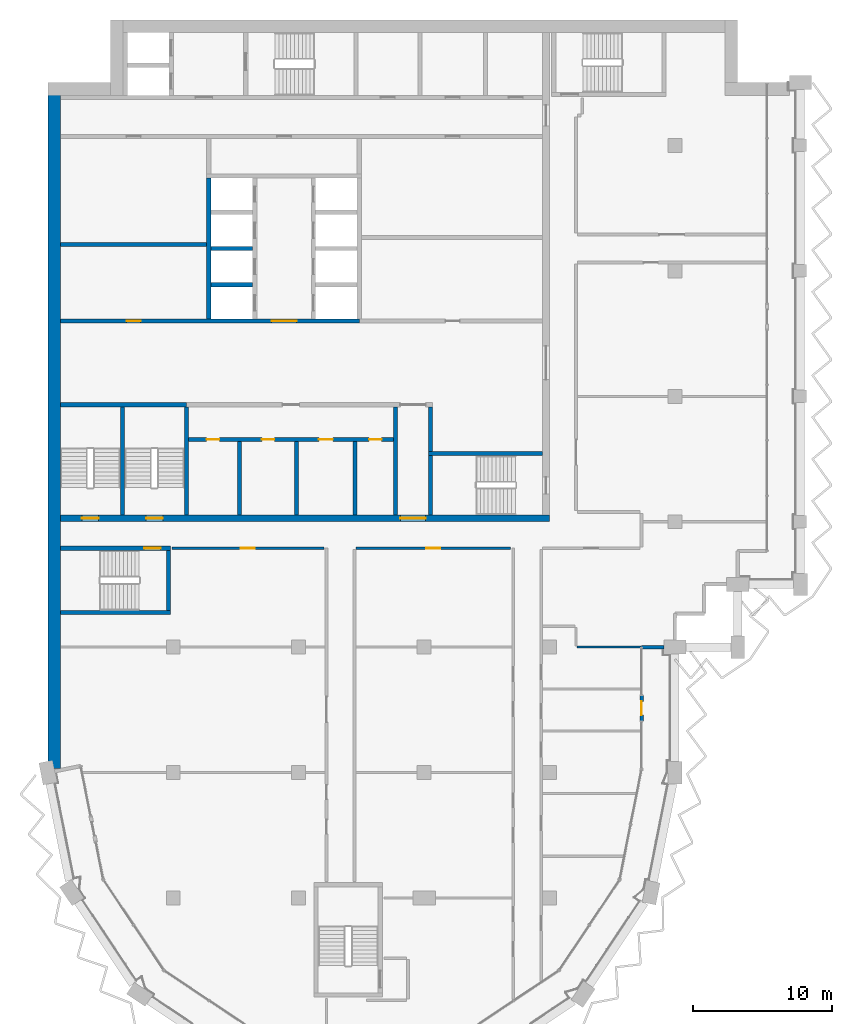
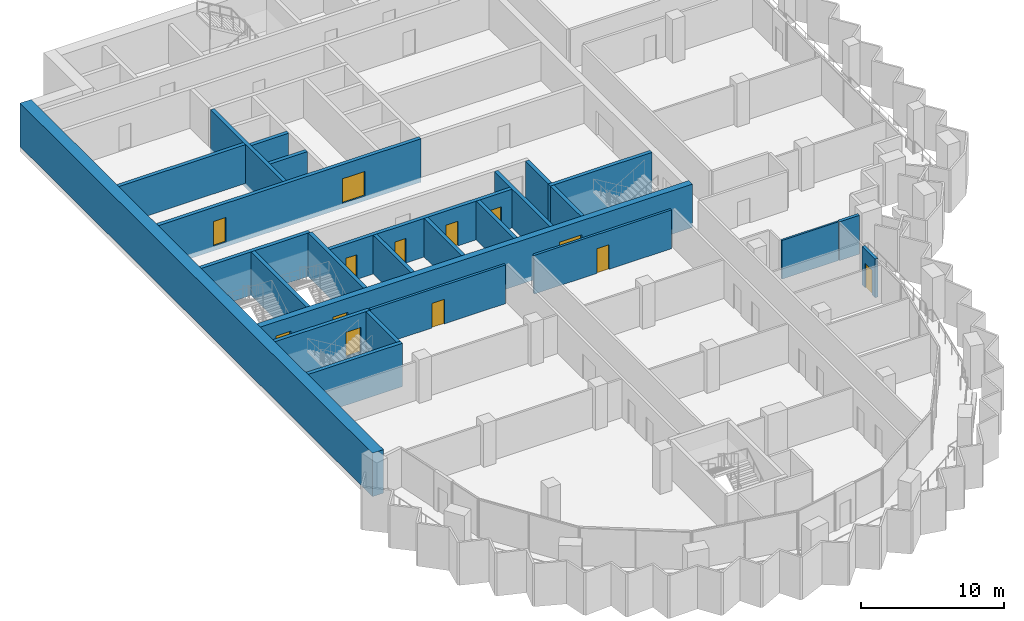
# One storey, part 8 of 16: 26 walls, 13 doors, 13 openings.
"""IFC4 building model written with IfcOpenShell, lengths in metres."""

from ifc_helpers import new_model, si_unit, direction, frame, frame_2d, origin, place, context, subcontext, project, spatial, rectangle, extrude, material, layer, layer_set, type_object, element, fill, save


model = new_model("IFC4")

# Units and contexts
model_context = context("Model", 3, precision=1e-05, world=origin(), true_north=direction((0.0, 1.0)))
body_context = subcontext(model_context, "Body", "Model", "MODEL_VIEW")
ifc_project = project(units=[si_unit("LENGTHUNIT", "METRE"), si_unit("AREAUNIT", "SQUARE_METRE"), si_unit("VOLUMEUNIT", "CUBIC_METRE"), si_unit("PLANEANGLEUNIT", "RADIAN"), si_unit("MASSUNIT", "GRAM", prefix="KILO")], contexts=[model_context])

# Site, building, storey
site_placement = place(None, origin())
site = spatial("IfcSite", under=ifc_project, at=site_placement, CompositionType="ELEMENT")
building_placement = place(site_placement, origin())
building = spatial("IfcBuilding", under=site, at=building_placement, Name="Hunhe Ridgeline Campus", CompositionType="ELEMENT")
storey_placement = place(building_placement, frame((0.0, 0.0, 254.0)))
storey = spatial("IfcBuildingStorey", under=building, at=storey_placement, Name="L65", CompositionType="ELEMENT", Elevation=254.0)

# Wall, openings, doors
ifc_material_1 = material(Name="Masonry concrete blockwork", Category="masonry")
ifc_layer_1 = layer(ifc_material_1, 0.300048828125)
ifc_layer_set_1 = layer_set([ifc_layer_1], Name="Core room partition 300 concrete block")
wall_type_1 = type_object("IfcWallType", Name="Core room partition 300 concrete block", PredefinedType="PARTITIONING", material=ifc_layer_set_1)
wall_1_placement = place(storey_placement, frame((10.10009765625, 68.89990234375, 0.0), z_axis=(0.0, 0.0, 1.0), x_axis=(1.0, 0.0, 0.0)))
wall_1 = element("IfcWall", 1, at=wall_1_placement, inside=storey, type_object=wall_type_1, Name="L65 core partition 7", PredefinedType="PARTITIONING", context=body_context, shape_type="SweptSolid", body=[
    extrude(rectangle(XDim=14.699951171875, YDim=0.300048828125, at=frame_2d((7.35009765625, 0.0))), origin(), (0.0, 0.0, 1.0), 3.300048828125),
])
opening_1_placement = place(wall_1_placement, frame((1.300048828125, 0.0, 0.0)))
opening_1 = element("IfcOpeningElement", 2, at=opening_1_placement, cuts=wall_1, Name="Opening CD8", PredefinedType="OPENING", context=body_context, shape_type="SweptSolid", body=[
    extrude(rectangle(XDim=0.89990234375, YDim=2.10009765625, at=frame_2d((0.449951171875, 1.050048828125))), frame((0.0, 0.14990234375, 0.0), z_axis=(0.0, -1.0, 0.0), x_axis=(1.0, 0.0, 0.0)), (0.0, 0.0, 1.0), 0.300048828125),
])
opening_2_placement = place(wall_1_placement, frame((5.25, 0.0, 0.0)))
opening_2 = element("IfcOpeningElement", 3, at=opening_2_placement, cuts=wall_1, Name="Opening CD9", PredefinedType="OPENING", context=body_context, shape_type="SweptSolid", body=[
    extrude(rectangle(XDim=0.89990234375, YDim=2.10009765625, at=frame_2d((0.449951171875, 1.050048828125))), frame((0.0, 0.14990234375, 0.0), z_axis=(0.0, -1.0, 0.0), x_axis=(1.0, 0.0, 0.0)), (0.0, 0.0, 1.0), 0.300048828125),
])
opening_3_placement = place(wall_1_placement, frame((9.35009765625, 0.0, 0.0)))
opening_3 = element("IfcOpeningElement", 4, at=opening_3_placement, cuts=wall_1, Name="Opening CD10", PredefinedType="OPENING", context=body_context, shape_type="SweptSolid", body=[
    extrude(rectangle(XDim=1.0, YDim=2.10009765625, at=frame_2d((0.5, 1.050048828125))), frame((0.0, 0.14990234375, 0.0), z_axis=(0.0, -1.0, 0.0), x_axis=(1.0, 0.0, 0.0)), (0.0, 0.0, 1.0), 0.300048828125),
])
opening_4_placement = place(wall_1_placement, frame((12.949951171875, 0.0, 0.0)))
opening_4 = element("IfcOpeningElement", 5, at=opening_4_placement, cuts=wall_1, Name="Opening CD11", PredefinedType="OPENING", context=body_context, shape_type="SweptSolid", body=[
    extrude(rectangle(XDim=0.89990234375, YDim=2.10009765625, at=frame_2d((0.449951171875, 1.050048828125))), frame((0.0, 0.14990234375, 0.0), z_axis=(0.0, -1.0, 0.0), x_axis=(1.0, 0.0, 0.0)), (0.0, 0.0, 1.0), 0.300048828125),
])
ifc_material_2 = material(Name="Solid core timber door leaf", Category="wood")
door_type_1 = type_object("IfcDoorType", Name="Timber door 1000x2100", OperationType="SINGLE_SWING_LEFT", PredefinedType="DOOR", material=ifc_material_2)
door_1_placement = place(opening_3_placement, frame((1.0, 0.0, 0.0), z_axis=(0.0, 0.0, 1.0), x_axis=(-1.0, 0.0, 0.0)))
door_1 = element("IfcDoor", 6, at=door_1_placement, inside=storey, type_object=door_type_1, Name="L65 door WC3", OperationType="SINGLE_SWING_LEFT", OverallHeight=2.10009765625, OverallWidth=1.0, PredefinedType="DOOR", context=body_context, shape_type="SweptSolid", body=[
    extrude(rectangle(XDim=1.0, YDim=2.10009765625, at=frame_2d((0.5, 1.050048828125))), frame((0.0, 0.02490234375, 0.0), z_axis=(0.0, -1.0, 0.0), x_axis=(1.0, 0.0, 0.0)), (0.0, 0.0, 1.0), 0.050048828125),
])
fill(opening_3, door_1)
door_type_2 = type_object("IfcDoorType", Name="Timber door 900x2100", OperationType="SINGLE_SWING_LEFT", PredefinedType="DOOR", material=ifc_material_2)
door_2_placement = place(opening_1_placement, frame((0.89990234375, 0.0, 0.0), z_axis=(0.0, 0.0, 1.0), x_axis=(-1.0, 0.0, 0.0)))
door_2 = element("IfcDoor", 7, at=door_2_placement, inside=storey, type_object=door_type_2, Name="L65 door WC1", OperationType="SINGLE_SWING_LEFT", OverallHeight=2.10009765625, OverallWidth=0.89990234375, PredefinedType="DOOR", context=body_context, shape_type="SweptSolid", body=[
    extrude(rectangle(XDim=0.89990234375, YDim=2.10009765625, at=frame_2d((0.449951171875, 1.050048828125))), frame((0.0, 0.02490234375, 0.0), z_axis=(0.0, -1.0, 0.0), x_axis=(1.0, 0.0, 0.0)), (0.0, 0.0, 1.0), 0.050048828125),
])
fill(opening_1, door_2)
door_3_placement = place(opening_2_placement, frame((0.89990234375, 0.0, 0.0), z_axis=(0.0, 0.0, 1.0), x_axis=(-1.0, 0.0, 0.0)))
door_3 = element("IfcDoor", 8, at=door_3_placement, inside=storey, type_object=door_type_2, Name="L65 door WC2", OperationType="SINGLE_SWING_RIGHT", OverallHeight=2.10009765625, OverallWidth=0.89990234375, PredefinedType="DOOR", context=body_context, shape_type="SweptSolid", body=[
    extrude(rectangle(XDim=0.89990234375, YDim=2.10009765625, at=frame_2d((0.449951171875, 1.050048828125))), frame((0.0, 0.02490234375, 0.0), z_axis=(0.0, -1.0, 0.0), x_axis=(1.0, 0.0, 0.0)), (0.0, 0.0, 1.0), 0.050048828125),
])
fill(opening_2, door_3)
door_4_placement = place(opening_4_placement, frame((0.89990234375, 0.0, 0.0), z_axis=(0.0, 0.0, 1.0), x_axis=(-1.0, 0.0, 0.0)))
door_4 = element("IfcDoor", 9, at=door_4_placement, inside=storey, type_object=door_type_2, Name="L65 door WC4", OperationType="SINGLE_SWING_RIGHT", OverallHeight=2.10009765625, OverallWidth=0.89990234375, PredefinedType="DOOR", context=body_context, shape_type="SweptSolid", body=[
    extrude(rectangle(XDim=0.89990234375, YDim=2.10009765625, at=frame_2d((0.449951171875, 1.050048828125))), frame((0.0, 0.02490234375, 0.0), z_axis=(0.0, -1.0, 0.0), x_axis=(1.0, 0.0, 0.0)), (0.0, 0.0, 1.0), 0.050048828125),
])
fill(opening_4, door_4)

# Walls
wall_2_placement = place(storey_placement, frame((0.89990234375, 82.89990234375, 0.0), z_axis=(0.0, 0.0, 1.0), x_axis=(1.0, 0.0, 0.0)))
element("IfcWall", 10, at=wall_2_placement, inside=storey, type_object=wall_type_1, Name="L65 core partition 16", PredefinedType="PARTITIONING", context=body_context, shape_type="SweptSolid", body=[
    extrude(rectangle(XDim=10.5, YDim=0.300048828125, at=frame_2d((5.25, 0.0))), origin(), (0.0, 0.0, 1.0), 3.300048828125),
])
for number, where, z_axis, x_axis, name in (
    (11, (13.75, 63.5, 0.0), (0.0, 0.0, 1.0), (0.0, 1.0, 0.0), "L65 core partition 32"),
    (12, (17.85009765625, 63.5, 0.0), (0.0, 0.0, 1.0), (0.0, 1.0, 0.0), "L65 core partition 35"),
    (13, (22.050048828125, 63.5, 0.0), (0.0, 0.0, 1.0), (0.0, 1.0, 0.0), "L65 core partition 38"),
):
    element("IfcWall", number, at=place(storey_placement, frame(where, z_axis=z_axis, x_axis=x_axis)), inside=storey, type_object=wall_type_1, Name=name, PredefinedType="PARTITIONING", context=body_context, shape_type="SweptSolid", body=[
        extrude(rectangle(XDim=5.25, YDim=0.300048828125, at=frame_2d((2.625, 0.0))), origin(), (0.0, 0.0, 1.0), 3.300048828125),
    ])
wall_3_placement = place(storey_placement, frame((24.949951171875, 63.5, 0.0), z_axis=(0.0, 0.0, 1.0), x_axis=(0.0, 1.0, 0.0)))
element("IfcWall", 14, at=wall_3_placement, inside=storey, type_object=wall_type_1, Name="L65 core partition 43", PredefinedType="PARTITIONING", context=body_context, shape_type="SweptSolid", body=[
    extrude(rectangle(XDim=7.75, YDim=0.300048828125, at=frame_2d((3.875, 0.0))), origin(), (0.0, 0.0, 1.0), 3.300048828125),
])
wall_4_placement = place(storey_placement, frame((27.449951171875, 68.050048828125, 0.0), z_axis=(0.0, 0.0, 1.0), x_axis=(0.0, 1.0, 0.0)))
element("IfcWall", 15, at=wall_4_placement, inside=storey, type_object=wall_type_1, Name="L65 core partition 46", PredefinedType="PARTITIONING", context=body_context, shape_type="SweptSolid", body=[
    extrude(rectangle(XDim=3.199951171875, YDim=0.300048828125, at=frame_2d((1.60009765625, 0.0))), origin(), (0.0, 0.0, 1.0), 3.300048828125),
])

# Wall, openings, doors
ifc_material_3 = material(Name="Concrete C50", Category="concrete")
ifc_layer_2 = layer(ifc_material_3, 0.5)
ifc_layer_set_2 = layer_set([ifc_layer_2], Name="Core wall 500 reinforced concrete C50")
wall_type_2 = type_object("IfcWallType", Name="Core wall 500 reinforced concrete C50", PredefinedType="SOLIDWALL", material=ifc_layer_set_2)
wall_5_placement = place(storey_placement, frame((0.89990234375, 63.25, -0.39990234375), z_axis=(0.0, 0.0, 1.0), x_axis=(1.0, 0.0, 0.0)))
wall_5 = element("IfcWall", 16, at=wall_5_placement, inside=storey, type_object=wall_type_2, Name="L65 core wall 5", PredefinedType="SOLIDWALL", context=body_context, shape_type="SweptSolid", body=[
    extrude(rectangle(XDim=35.10009765625, YDim=0.5, at=frame_2d((17.550048828125, 0.0))), origin(), (0.0, 0.0, 1.0), 3.699951171875),
])
opening_5_placement = place(wall_5_placement, frame((24.39990234375, 0.0, 0.39990234375)))
opening_5 = element("IfcOpeningElement", 17, at=opening_5_placement, cuts=wall_5, Name="Opening CD6", PredefinedType="OPENING", context=body_context, shape_type="SweptSolid", body=[
    extrude(rectangle(XDim=1.800048828125, YDim=2.10009765625, at=frame_2d((0.89990234375, 1.050048828125))), frame((0.0, 0.25, 0.0), z_axis=(0.0, -1.0, 0.0), x_axis=(1.0, 0.0, 0.0)), (0.0, 0.0, 1.0), 0.5),
])
opening_6_placement = place(wall_5_placement, frame((1.550048828125, 0.0, 0.39990234375)))
opening_6 = element("IfcOpeningElement", 18, at=opening_6_placement, cuts=wall_5, Name="Opening CD13", PredefinedType="OPENING", context=body_context, shape_type="SweptSolid", body=[
    extrude(rectangle(XDim=1.199951171875, YDim=2.10009765625, at=frame_2d((0.60009765625, 1.050048828125))), frame((0.0, 0.25, 0.0), z_axis=(0.0, -1.0, 0.0), x_axis=(1.0, 0.0, 0.0)), (0.0, 0.0, 1.0), 0.5),
])
opening_7_placement = place(wall_5_placement, frame((6.14990234375, 0.0, 0.39990234375)))
opening_7 = element("IfcOpeningElement", 19, at=opening_7_placement, cuts=wall_5, Name="Opening CD14", PredefinedType="OPENING", context=body_context, shape_type="SweptSolid", body=[
    extrude(rectangle(XDim=1.199951171875, YDim=2.10009765625, at=frame_2d((0.60009765625, 1.050048828125))), frame((0.0, 0.25, 0.0), z_axis=(0.0, -1.0, 0.0), x_axis=(1.0, 0.0, 0.0)), (0.0, 0.0, 1.0), 0.5),
])
ifc_material_4 = material(Name="Anodised aluminium and glass", Category="aluminium")
door_type_3 = type_object("IfcDoorType", Name="Glazed double door 1800x2100", OperationType="DOUBLE_DOOR_SINGLE_SWING", PredefinedType="DOOR", material=ifc_material_4)
door_5_placement = place(opening_5_placement, frame((1.800048828125, 0.0, 0.0), z_axis=(0.0, 0.0, 1.0), x_axis=(-1.0, 0.0, 0.0)))
door_5 = element("IfcDoor", 20, at=door_5_placement, inside=storey, type_object=door_type_3, Name="L65 door VEST-FLOOR", OperationType="DOUBLE_DOOR_SINGLE_SWING", OverallHeight=2.10009765625, OverallWidth=1.800048828125, PredefinedType="DOOR", context=body_context, shape_type="SweptSolid", body=[
    extrude(rectangle(XDim=1.800048828125, YDim=2.10009765625, at=frame_2d((0.89990234375, 1.050048828125))), frame((0.0, 0.02490234375, 0.0), z_axis=(0.0, -1.0, 0.0), x_axis=(1.0, 0.0, 0.0)), (0.0, 0.0, 1.0), 0.050048828125),
])
fill(opening_5, door_5)
ifc_material_5 = material(Name="Hollow metal fire door leaf")
door_type_4 = type_object("IfcDoorType", Name="Stair door 1200x2100 FD60", OperationType="SINGLE_SWING_LEFT", PredefinedType="DOOR", material=ifc_material_5)
door_6_placement = place(opening_6_placement, frame((1.199951171875, 0.0, 0.0), z_axis=(0.0, 0.0, 1.0), x_axis=(-1.0, 0.0, 0.0)))
door_6 = element("IfcDoor", 21, at=door_6_placement, inside=storey, type_object=door_type_4, Name="L65 door S3", OperationType="SINGLE_SWING_LEFT", OverallHeight=2.10009765625, OverallWidth=1.199951171875, PredefinedType="DOOR", context=body_context, shape_type="SweptSolid", body=[
    extrude(rectangle(XDim=1.199951171875, YDim=2.10009765625, at=frame_2d((0.60009765625, 1.050048828125))), frame((0.0, 0.02490234375, 0.0), z_axis=(0.0, -1.0, 0.0), x_axis=(1.0, 0.0, 0.0)), (0.0, 0.0, 1.0), 0.050048828125),
])
fill(opening_6, door_6)
door_7_placement = place(opening_7_placement, frame((1.199951171875, 0.0, 0.0), z_axis=(0.0, 0.0, 1.0), x_axis=(-1.0, 0.0, 0.0)))
door_7 = element("IfcDoor", 22, at=door_7_placement, inside=storey, type_object=door_type_4, Name="L65 door S4", OperationType="SINGLE_SWING_RIGHT", OverallHeight=2.10009765625, OverallWidth=1.199951171875, PredefinedType="DOOR", context=body_context, shape_type="SweptSolid", body=[
    extrude(rectangle(XDim=1.199951171875, YDim=2.10009765625, at=frame_2d((0.60009765625, 1.050048828125))), frame((0.0, 0.02490234375, 0.0), z_axis=(0.0, -1.0, 0.0), x_axis=(1.0, 0.0, 0.0)), (0.0, 0.0, 1.0), 0.050048828125),
])
fill(opening_7, door_7)

# Wall
ifc_material_6 = material(Name="Concrete C30", Category="concrete")
ifc_layer_3 = layer(ifc_material_6, 0.25)
ifc_layer_set_3 = layer_set([ifc_layer_3], Name="Corner return wall 250 Concrete C30")
wall_type_3 = type_object("IfcWallType", Name="Corner return wall 250 Concrete C30", PredefinedType="SOLIDWALL", material=ifc_layer_set_3)
wall_6_placement = place(storey_placement, frame((42.59912109375, 54.00048828125, 0.0), z_axis=(0.0, 0.0, 1.0), x_axis=(0.999999988371, 0.000152508767, 0.0)))
element("IfcWall", 23, at=wall_6_placement, inside=storey, type_object=wall_type_3, Name="Corner return wall 2", PredefinedType="SOLIDWALL", context=body_context, shape_type="SweptSolid", body=[
    extrude(rectangle(XDim=1.600830078125, YDim=0.25, at=frame_2d((0.80029296875, 0.0))), origin(), (0.0, 0.0, 1.0), 3.300048828125),
])

# Wall, opening, door
ifc_material_7 = material(Name="Gypsum board partition")
ifc_layer_4 = layer(ifc_material_7, 0.199951171875)
ifc_layer_set_4 = layer_set([ifc_layer_4], Name="Corridor partition 200 gypsum board on steel studs")
wall_type_4 = type_object("IfcWallType", Name="Corridor partition 200 gypsum board on steel studs", PredefinedType="PARTITIONING", material=ifc_layer_set_4)
wall_7_placement = place(storey_placement, frame((19.8056640625, 61.10009765625, 0.0), z_axis=(0.0, 0.0, 1.0), x_axis=(-1.0, 0.0, 0.0)))
wall_7 = element("IfcWall", 24, at=wall_7_placement, inside=storey, type_object=wall_type_4, Name="F-L65-wall-021", PredefinedType="PARTITIONING", context=body_context, shape_type="SweptSolid", body=[
    extrude(rectangle(XDim=10.901611328125, YDim=0.199951171875, at=frame_2d((5.45068359375, 0.0))), origin(), (0.0, 0.0, 1.0), 3.300048828125),
])
opening_8_placement = place(wall_7_placement, frame((4.95068359375, 0.0, 0.0)))
opening_8 = element("IfcOpeningElement", 25, at=opening_8_placement, cuts=wall_7, Name="Opening RD1-015", PredefinedType="OPENING", context=body_context, shape_type="SweptSolid", body=[
    extrude(rectangle(XDim=1.0, YDim=2.10009765625, at=frame_2d((0.5, 1.050048828125))), frame((0.0, 0.10009765625, 0.0), z_axis=(0.0, -1.0, 0.0), x_axis=(1.0, 0.0, 0.0)), (0.0, 0.0, 1.0), 0.199951171875),
])
ifc_material_8 = material(Name="Timber door leaf", Category="wood")
door_type_5 = type_object("IfcDoorType", Name="Single fire door 1000x2100 timber FD60", OperationType="NOTDEFINED", PredefinedType="DOOR", material=ifc_material_8)
door_8_placement = place(opening_8_placement, origin())
door_8 = element("IfcDoor", 26, at=door_8_placement, inside=storey, type_object=door_type_5, Name="F-L65-door-015", OperationType="SINGLE_SWING_LEFT", OverallHeight=2.10009765625, OverallWidth=1.0, PredefinedType="DOOR", context=body_context, shape_type="SweptSolid", body=[
    extrude(rectangle(XDim=1.0, YDim=2.10009765625, at=frame_2d((0.5, 1.050048828125))), frame((0.0, 0.02490234375, 0.0), z_axis=(0.0, -1.0, 0.0), x_axis=(1.0, 0.0, 0.0)), (0.0, 0.0, 1.0), 0.050048828125),
])
fill(opening_8, door_8)

wall_8_placement = place(storey_placement, frame((33.18505859375, 61.10009765625, 0.0), z_axis=(0.0, 0.0, 1.0), x_axis=(-1.0, 0.0, 0.0)))
wall_8 = element("IfcWall", 27, at=wall_8_placement, inside=storey, type_object=wall_type_4, Name="F-L65-wall-022", PredefinedType="PARTITIONING", context=body_context, shape_type="SweptSolid", body=[
    extrude(rectangle(XDim=11.0849609375, YDim=0.199951171875, at=frame_2d((5.54248046875, 0.0))), origin(), (0.0, 0.0, 1.0), 3.300048828125),
])
opening_9_placement = place(wall_8_placement, frame((5.04248046875, 0.0, 0.0)))
opening_9 = element("IfcOpeningElement", 28, at=opening_9_placement, cuts=wall_8, Name="Opening RD1-016", PredefinedType="OPENING", context=body_context, shape_type="SweptSolid", body=[
    extrude(rectangle(XDim=1.0, YDim=2.10009765625, at=frame_2d((0.5, 1.050048828125))), frame((0.0, 0.10009765625, 0.0), z_axis=(0.0, -1.0, 0.0), x_axis=(1.0, 0.0, 0.0)), (0.0, 0.0, 1.0), 0.199951171875),
])
door_9_placement = place(opening_9_placement, origin())
door_9 = element("IfcDoor", 29, at=door_9_placement, inside=storey, type_object=door_type_5, Name="F-L65-door-016", OperationType="SINGLE_SWING_LEFT", OverallHeight=2.10009765625, OverallWidth=1.0, PredefinedType="DOOR", context=body_context, shape_type="SweptSolid", body=[
    extrude(rectangle(XDim=1.0, YDim=2.10009765625, at=frame_2d((0.5, 1.050048828125))), frame((0.0, 0.02490234375, 0.0), z_axis=(0.0, -1.0, 0.0), x_axis=(1.0, 0.0, 0.0)), (0.0, 0.0, 1.0), 0.050048828125),
])
fill(opening_9, door_9)

ifc_layer_5 = layer(ifc_material_6, 0.25)
ifc_layer_set_5 = layer_set([ifc_layer_5], Name="Loggia door pier wall 250 Concrete C30")
wall_type_5 = type_object("IfcWallType", Name="Loggia door pier wall 250 Concrete C30", PredefinedType="SOLIDWALL", material=ifc_layer_set_5)
wall_9_placement = place(storey_placement, frame((42.59912109375, 48.718505859375, 0.0), z_axis=(0.0, 0.0, 1.0), x_axis=(0.0, 1.0, 0.0)))
wall_9 = element("IfcWall", 30, at=wall_9_placement, inside=storey, type_object=wall_type_5, Name="Loggia door pier 3", PredefinedType="SOLIDWALL", context=body_context, shape_type="SweptSolid", body=[
    extrude(rectangle(XDim=1.800048828125, YDim=0.25, at=frame_2d((0.89990234375, 0.0))), origin(), (0.0, 0.0, 1.0), 3.300048828125),
])
opening_10_placement = place(wall_9_placement, frame((0.39990234375, 0.0, 0.0)))
opening_10 = element("IfcOpeningElement", 31, at=opening_10_placement, cuts=wall_9, Name="Opening BD505", PredefinedType="OPENING", context=body_context, shape_type="SweptSolid", body=[
    extrude(rectangle(XDim=1.0, YDim=2.10009765625, at=frame_2d((0.5, 1.050048828125))), frame((0.0, 0.125, 0.0), z_axis=(0.0, -1.0, 0.0), x_axis=(1.0, 0.0, 0.0)), (0.0, 0.0, 1.0), 0.25),
])
ifc_material_9 = material(Name="Aluminium 6063", Category="aluminium")
door_type_6 = type_object("IfcDoorType", Name="Loggia glazed door 1000x2100", OperationType="NOTDEFINED", PredefinedType="DOOR", material=ifc_material_9)
door_10_placement = place(opening_10_placement, frame((1.0, 0.0, 0.0), z_axis=(0.0, 0.0, 1.0), x_axis=(-1.0, 0.0, 0.0)))
door_10 = element("IfcDoor", 32, at=door_10_placement, inside=storey, type_object=door_type_6, Name="Loggia door BD505", OperationType="SINGLE_SWING_RIGHT", OverallHeight=2.10009765625, OverallWidth=1.0, PredefinedType="DOOR", context=body_context, shape_type="SweptSolid", body=[
    extrude(rectangle(XDim=1.0, YDim=2.10009765625, at=frame_2d((0.5, 1.050048828125))), frame((0.0, 0.02490234375, 0.0), z_axis=(0.0, -1.0, 0.0), x_axis=(1.0, 0.0, 0.0)), (0.0, 0.0, 1.0), 0.050048828125),
])
fill(opening_10, door_10)

# Wall
ifc_layer_6 = layer(ifc_material_7, 0.14990234375)
ifc_layer_set_6 = layer_set([ifc_layer_6], Name="Room partition 150 gypsum board on steel studs")
wall_type_6 = type_object("IfcWallType", Name="Room partition 150 gypsum board on steel studs", PredefinedType="PARTITIONING", material=ifc_layer_set_6)
wall_10_placement = place(storey_placement, frame((37.97509765625, 54.0, 0.0), z_axis=(0.0, 0.0, 1.0), x_axis=(1.0, 0.0, 0.0)))
element("IfcWall", 33, at=wall_10_placement, inside=storey, type_object=wall_type_6, Name="F-L65-wall-019", PredefinedType="PARTITIONING", context=body_context, shape_type="SweptSolid", body=[
    extrude(rectangle(XDim=4.570068359375, YDim=0.14990234375, at=frame_2d((2.28515625, 0.0))), origin(), (0.0, 0.0, 1.0), 3.300048828125),
])

# Wall, openings, doors
ifc_layer_7 = layer(ifc_material_3, 0.300048828125)
ifc_layer_set_7 = layer_set([ifc_layer_7], Name="Shaft wall 300 reinforced concrete C50")
wall_type_7 = type_object("IfcWallType", Name="Shaft wall 300 reinforced concrete C50", PredefinedType="SOLIDWALL", material=ifc_layer_set_7)
wall_11_placement = place(storey_placement, frame((0.89990234375, 77.39990234375, -0.39990234375), z_axis=(0.0, 0.0, 1.0), x_axis=(1.0, 0.0, 0.0)))
wall_11 = element("IfcWall", 34, at=wall_11_placement, inside=storey, type_object=wall_type_7, Name="L65 core wall 10", PredefinedType="SOLIDWALL", context=body_context, shape_type="SweptSolid", body=[
    extrude(rectangle(XDim=21.4501953125, YDim=0.300048828125, at=frame_2d((10.72509765625, 0.0))), origin(), (0.0, 0.0, 1.0), 3.699951171875),
])
opening_11_placement = place(wall_11_placement, frame((15.14990234375, 0.0, 0.39990234375)))
opening_11 = element("IfcOpeningElement", 35, at=opening_11_placement, cuts=wall_11, Name="Opening CD38", PredefinedType="OPENING", context=body_context, shape_type="SweptSolid", body=[
    extrude(rectangle(XDim=1.800048828125, YDim=2.10009765625, at=frame_2d((0.89990234375, 1.050048828125))), frame((0.0, 0.14990234375, 0.0), z_axis=(0.0, -1.0, 0.0), x_axis=(1.0, 0.0, 0.0)), (0.0, 0.0, 1.0), 0.300048828125),
])
opening_12_placement = place(wall_11_placement, frame((4.75, 0.0, 0.39990234375)))
opening_12 = element("IfcOpeningElement", 36, at=opening_12_placement, cuts=wall_11, Name="Opening CD39", PredefinedType="OPENING", context=body_context, shape_type="SweptSolid", body=[
    extrude(rectangle(XDim=1.0, YDim=2.10009765625, at=frame_2d((0.5, 1.050048828125))), frame((0.0, 0.14990234375, 0.0), z_axis=(0.0, -1.0, 0.0), x_axis=(1.0, 0.0, 0.0)), (0.0, 0.0, 1.0), 0.300048828125),
])
door_type_7 = type_object("IfcDoorType", Name="Lobby door 1800x2100 FD60", OperationType="SINGLE_SWING_LEFT", PredefinedType="DOOR", material=ifc_material_5)
door_11_placement = place(opening_11_placement, frame((1.800048828125, 0.0, 0.0), z_axis=(0.0, 0.0, 1.0), x_axis=(-1.0, 0.0, 0.0)))
door_11 = element("IfcDoor", 37, at=door_11_placement, inside=storey, type_object=door_type_7, Name="L65 door LOB-HR", OperationType="SINGLE_SWING_RIGHT", OverallHeight=2.10009765625, OverallWidth=1.800048828125, PredefinedType="DOOR", context=body_context, shape_type="SweptSolid", body=[
    extrude(rectangle(XDim=1.800048828125, YDim=2.10009765625, at=frame_2d((0.89990234375, 1.050048828125))), frame((0.0, 0.02490234375, 0.0), z_axis=(0.0, -1.0, 0.0), x_axis=(1.0, 0.0, 0.0)), (0.0, 0.0, 1.0), 0.050048828125),
])
fill(opening_11, door_11)
door_12_placement = place(opening_12_placement, origin())
door_12 = element("IfcDoor", 38, at=door_12_placement, inside=storey, type_object=door_type_1, Name="L65 door VD-LR0", OperationType="SINGLE_SWING_RIGHT", OverallHeight=2.10009765625, OverallWidth=1.0, PredefinedType="DOOR", context=body_context, shape_type="SweptSolid", body=[
    extrude(rectangle(XDim=1.0, YDim=2.10009765625, at=frame_2d((0.5, 1.050048828125))), frame((0.0, 0.02490234375, 0.0), z_axis=(0.0, -1.0, 0.0), x_axis=(1.0, 0.0, 0.0)), (0.0, 0.0, 1.0), 0.050048828125),
])
fill(opening_12, door_12)

# Walls
for number, where, z_axis, x_axis, name in (
    (39, (11.699951171875, 80.0, -0.39990234375), (0.0, 0.0, 1.0), (1.0, 0.0, 0.0), "L65 core wall 12"),
    (40, (11.699951171875, 82.60009765625, -0.39990234375), (0.0, 0.0, 1.0), (1.0, 0.0, 0.0), "L65 core wall 14"),
):
    element("IfcWall", number, at=place(storey_placement, frame(where, z_axis=z_axis, x_axis=x_axis)), inside=storey, type_object=wall_type_7, Name=name, PredefinedType="SOLIDWALL", context=body_context, shape_type="SweptSolid", body=[
        extrude(rectangle(XDim=3.0, YDim=0.300048828125, at=frame_2d((1.5, 0.0))), origin(), (0.0, 0.0, 1.0), 3.699951171875),
    ])
wall_12_placement = place(storey_placement, frame((11.550048828125, 77.550048828125, -0.39990234375), z_axis=(0.0, 0.0, 1.0), x_axis=(0.0, 1.0, 0.0)))
element("IfcWall", 41, at=wall_12_placement, inside=storey, type_object=wall_type_7, Name="L65 core wall 30", PredefinedType="SOLIDWALL", context=body_context, shape_type="SweptSolid", body=[
    extrude(rectangle(XDim=10.099853515625, YDim=0.300048828125, at=frame_2d((5.0498046875, 0.0))), origin(), (0.0, 0.0, 1.0), 3.699951171875),
])
ifc_material_10 = material(Name="Concrete C60", Category="concrete")
ifc_layer_8 = layer(ifc_material_10, 0.89990234375)
ifc_layer_set_8 = layer_set([ifc_layer_8], Name="Spine wall 900 Concrete C60")
wall_type_8 = type_object("IfcWallType", Name="Spine wall 900 Concrete C60", PredefinedType="SHEAR", material=ifc_layer_set_8)
wall_13_placement = place(storey_placement, frame((0.449951171875, 94.5, 0.0), z_axis=(0.0, 0.0, 1.0), x_axis=(0.0, -1.0, 0.0)))
element("IfcWall", 42, at=wall_13_placement, inside=storey, type_object=wall_type_8, Name="Spine wall SW3-1 L65", PredefinedType="SHEAR", context=body_context, shape_type="SweptSolid", body=[
    extrude(rectangle(XDim=49.199462890625, YDim=0.89990234375, at=frame_2d((24.599609375, 0.0))), origin(), (0.0, 0.0, 1.0), 3.699951171875),
])
ifc_layer_9 = layer(ifc_material_3, 0.300048828125)
ifc_layer_set_9 = layer_set([ifc_layer_9], Name="Stair wall 300 reinforced concrete C50")
wall_type_9 = type_object("IfcWallType", Name="Stair wall 300 reinforced concrete C50", PredefinedType="SOLIDWALL", material=ifc_layer_set_9)
wall_14_placement = place(storey_placement, frame((0.89990234375, 56.5, -0.39990234375), z_axis=(0.0, 0.0, 1.0), x_axis=(1.0, 0.0, 0.0)))
element("IfcWall", 43, at=wall_14_placement, inside=storey, type_object=wall_type_9, Name="L65 core wall 3", PredefinedType="SOLIDWALL", context=body_context, shape_type="SweptSolid", body=[
    extrude(rectangle(XDim=7.900146484375, YDim=0.300048828125, at=frame_2d((3.9501953125, 0.0))), origin(), (0.0, 0.0, 1.0), 3.699951171875),
])

# Wall, opening, door
wall_15_placement = place(storey_placement, frame((0.89990234375, 61.10009765625, -0.39990234375), z_axis=(0.0, 0.0, 1.0), x_axis=(1.0, 0.0, 0.0)))
wall_15 = element("IfcWall", 44, at=wall_15_placement, inside=storey, type_object=wall_type_9, Name="L65 core wall 4", PredefinedType="SOLIDWALL", context=body_context, shape_type="SweptSolid", body=[
    extrude(rectangle(XDim=7.900146484375, YDim=0.300048828125, at=frame_2d((3.9501953125, 0.0))), origin(), (0.0, 0.0, 1.0), 3.699951171875),
])
opening_13_placement = place(wall_15_placement, frame((6.0, 0.0, 0.39990234375)))
opening_13 = element("IfcOpeningElement", 45, at=opening_13_placement, cuts=wall_15, Name="Opening CD22", PredefinedType="OPENING", context=body_context, shape_type="SweptSolid", body=[
    extrude(rectangle(XDim=1.199951171875, YDim=2.10009765625, at=frame_2d((0.60009765625, 1.050048828125))), frame((0.0, 0.14990234375, 0.0), z_axis=(0.0, -1.0, 0.0), x_axis=(1.0, 0.0, 0.0)), (0.0, 0.0, 1.0), 0.300048828125),
])
door_13_placement = place(opening_13_placement, origin())
door_13 = element("IfcDoor", 46, at=door_13_placement, inside=storey, type_object=door_type_4, Name="L65 door W2", OperationType="SINGLE_SWING_LEFT", OverallHeight=2.10009765625, OverallWidth=1.199951171875, PredefinedType="DOOR", context=body_context, shape_type="SweptSolid", body=[
    extrude(rectangle(XDim=1.199951171875, YDim=2.10009765625, at=frame_2d((0.60009765625, 1.050048828125))), frame((0.0, 0.02490234375, 0.0), z_axis=(0.0, -1.0, 0.0), x_axis=(1.0, 0.0, 0.0)), (0.0, 0.0, 1.0), 0.050048828125),
])
fill(opening_13, door_13)

# Walls
wall_16_placement = place(storey_placement, frame((27.300048828125, 67.89990234375, -0.39990234375), z_axis=(0.0, 0.0, 1.0), x_axis=(1.0, 0.0, 0.0)))
element("IfcWall", 47, at=wall_16_placement, inside=storey, type_object=wall_type_9, Name="L65 core wall 6", PredefinedType="SOLIDWALL", context=body_context, shape_type="SweptSolid", body=[
    extrude(rectangle(XDim=8.199951171875, YDim=0.300048828125, at=frame_2d((4.10009765625, 0.0))), origin(), (0.0, 0.0, 1.0), 3.699951171875),
])
wall_17_placement = place(storey_placement, frame((0.89990234375, 71.39990234375, -0.39990234375), z_axis=(0.0, 0.0, 1.0), x_axis=(1.0, 0.0, 0.0)))
element("IfcWall", 48, at=wall_17_placement, inside=storey, type_object=wall_type_9, Name="L65 core wall 8", PredefinedType="SOLIDWALL", context=body_context, shape_type="SweptSolid", body=[
    extrude(rectangle(XDim=9.050048828125, YDim=0.300048828125, at=frame_2d((4.52490234375, 0.0))), origin(), (0.0, 0.0, 1.0), 3.699951171875),
])
wall_18_placement = place(storey_placement, frame((5.35009765625, 63.5, -0.39990234375), z_axis=(0.0, 0.0, 1.0), x_axis=(0.0, 1.0, 0.0)))
element("IfcWall", 49, at=wall_18_placement, inside=storey, type_object=wall_type_9, Name="L65 core wall 25", PredefinedType="SOLIDWALL", context=body_context, shape_type="SweptSolid", body=[
    extrude(rectangle(XDim=7.75, YDim=0.300048828125, at=frame_2d((3.875, 0.0))), origin(), (0.0, 0.0, 1.0), 3.699951171875),
])
wall_19_placement = place(storey_placement, frame((8.64990234375, 56.64990234375, -0.39990234375), z_axis=(0.0, 0.0, 1.0), x_axis=(0.0, 1.0, 0.0)))
element("IfcWall", 50, at=wall_19_placement, inside=storey, type_object=wall_type_9, Name="L65 core wall 27", PredefinedType="SOLIDWALL", context=body_context, shape_type="SweptSolid", body=[
    extrude(rectangle(XDim=4.300048828125, YDim=0.300048828125, at=frame_2d((2.14990234375, 0.0))), origin(), (0.0, 0.0, 1.0), 3.699951171875),
])
wall_20_placement = place(storey_placement, frame((9.949951171875, 63.5, -0.39990234375), z_axis=(0.0, 0.0, 1.0), x_axis=(0.0, 1.0, 0.0)))
element("IfcWall", 51, at=wall_20_placement, inside=storey, type_object=wall_type_9, Name="L65 core wall 29", PredefinedType="SOLIDWALL", context=body_context, shape_type="SweptSolid", body=[
    extrude(rectangle(XDim=7.75, YDim=0.300048828125, at=frame_2d((3.875, 0.0))), origin(), (0.0, 0.0, 1.0), 3.699951171875),
])
wall_21_placement = place(storey_placement, frame((27.449951171875, 63.5, -0.39990234375), z_axis=(0.0, 0.0, 1.0), x_axis=(0.0, 1.0, 0.0)))
element("IfcWall", 52, at=wall_21_placement, inside=storey, type_object=wall_type_9, Name="L65 core wall 45", PredefinedType="SOLIDWALL", context=body_context, shape_type="SweptSolid", body=[
    extrude(rectangle(XDim=4.25, YDim=0.300048828125, at=frame_2d((2.125, 0.0))), origin(), (0.0, 0.0, 1.0), 3.699951171875),
])

save(model, "model.ifc")
